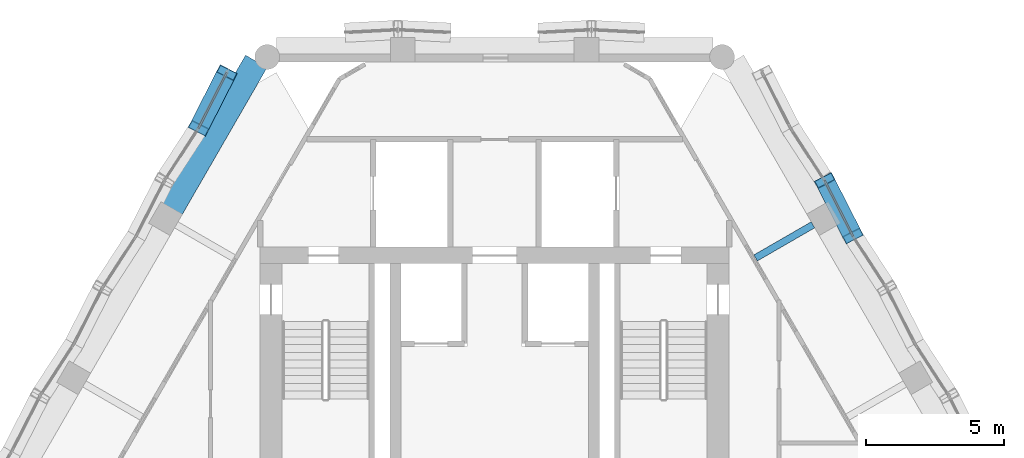
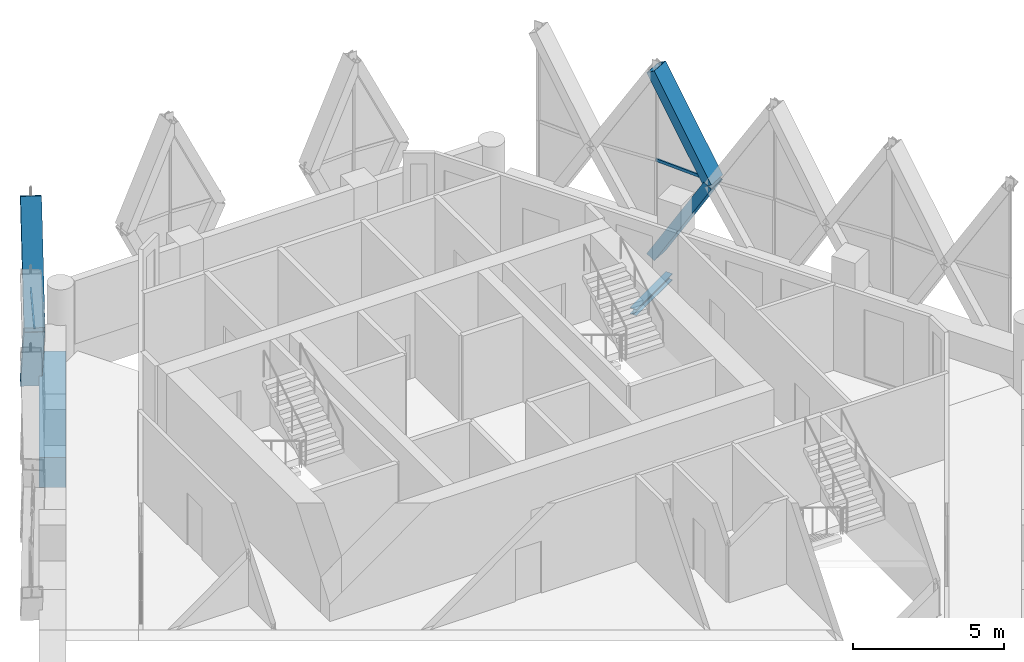
# One storey, part 9 of 27: 6 members, 2 beams, 2 elements without a shape of their own.
"""IFC4 building model written with IfcOpenShell, lengths in metres."""

import ifcopenshell
import ifcopenshell.guid

model = None  # the IFC model being written
_history = None  # IfcOwnerHistory: only IFC2X3 demands one
_inside = {}  # id of a spatial element -> (the spatial element, [elements in it])
_under = {}  # id of a project, library or spatial element -> (it, [spatial elements below it])
_declared = {}  # id of a project -> (the project, [libraries it declares])
_typed = {}  # id of a type object -> (the type object, [elements of that type])
_made_of = {}  # id of a material, layer set ... -> (it, [elements and type objects made of it])


def new_model(schema):
    """Start an empty IFC model of exactly this schema.

    Asked for "IFC4X3", IfcOpenShell would pick the latest addendum, in which some entities
    have other attributes; the version numbers below select the first issue.
    IFC2X3 requires an IfcOwnerHistory on every rooted entity: one is made here for all.
    """
    global model, _history
    if schema == "IFC4X3":
        model = ifcopenshell.file(schema_version=(4, 3, 0, 0))
    else:
        model = ifcopenshell.file(schema=schema)
    _inside.clear()
    _under.clear()
    _declared.clear()
    _typed.clear()
    _made_of.clear()
    _history = None
    if model.schema == "IFC2X3":
        org = make("IfcOrganization", Name="unknown")
        user = make(
            "IfcPersonAndOrganization",
            ThePerson=make("IfcPerson", FamilyName="unknown"),
            TheOrganization=org,
        )
        app = make(
            "IfcApplication",
            ApplicationDeveloper=org,
            Version="unknown",
            ApplicationFullName="unknown",
            ApplicationIdentifier="unknown",
        )
        _history = make(
            "IfcOwnerHistory",
            OwningUser=user,
            OwningApplication=app,
            ChangeAction="ADDED",
            CreationDate=0,
        )
    return model


def make(cls, **values):
    """One entity of the class cls with the attributes given. An attribute that is None is left unset."""
    return model.create_entity(
        cls, **{name: value for name, value in values.items() if value is not None}
    )


def rooted(cls, **values):
    """An entity with a GlobalId (a new one), such as an element, a storey or a relation."""
    return make(cls, GlobalId=ifcopenshell.guid.new(), OwnerHistory=_history, **values)


def si_unit(unit_type, name, prefix=None):
    """IfcSIUnit, for example si_unit("LENGTHUNIT", "METRE", prefix="MILLI")."""
    return make("IfcSIUnit", UnitType=unit_type, Prefix=prefix, Name=name)


def assignment(units):
    """IfcUnitAssignment: the units of a project."""
    return None if units is None else make("IfcUnitAssignment", Units=units)


def point(xyz):
    """IfcCartesianPoint."""
    return None if xyz is None else make("IfcCartesianPoint", Coordinates=xyz)


def direction(xyz):
    """IfcDirection."""
    return None if xyz is None else make("IfcDirection", DirectionRatios=xyz)


def frame(location, z_axis=None, x_axis=None):
    """IfcAxis2Placement3D, a coordinate frame: its origin and axes. An axis left out is left unset."""
    return make(
        "IfcAxis2Placement3D",
        Location=point(location),
        Axis=direction(z_axis),
        RefDirection=direction(x_axis),
    )


def frame_2d(location, x_axis=None):
    """IfcAxis2Placement2D, a coordinate frame in the plane: its origin and x axis."""
    return make(
        "IfcAxis2Placement2D", Location=point(location), RefDirection=direction(x_axis)
    )


def origin():
    """The frame at (0, 0, 0) with its axes left unset."""
    return frame((0.0, 0.0, 0.0))


def origin_2d():
    """The frame at (0, 0) in the plane with its x axis left unset."""
    return frame_2d((0.0, 0.0))


def place(relative_to, where):
    """IfcLocalPlacement: puts the frame where relative to a parent placement (None: the world)."""
    return make(
        "IfcLocalPlacement", PlacementRelTo=relative_to, RelativePlacement=where
    )


def context(
    kind, dimensions, precision=None, world=None, true_north=None, identifier=None
):
    """IfcGeometricRepresentationContext, for example the 3D "Model" context."""
    return make(
        "IfcGeometricRepresentationContext",
        ContextIdentifier=identifier,
        ContextType=kind,
        CoordinateSpaceDimension=dimensions,
        Precision=precision,
        WorldCoordinateSystem=world,
        TrueNorth=true_north,
    )


def subcontext(parent, identifier, kind, view, scale=None):
    """IfcGeometricRepresentationSubContext, for example "Body" below "Model"."""
    return make(
        "IfcGeometricRepresentationSubContext",
        ContextIdentifier=identifier,
        ContextType=kind,
        ParentContext=parent,
        TargetScale=scale,
        TargetView=view,
    )


def project(units=None, contexts=None):
    """IfcProject with its units and contexts."""
    return rooted(
        "IfcProject",
        Name="project",
        RepresentationContexts=contexts,
        UnitsInContext=assignment(units),
    )


def spatial(cls, under=None, at=None, **own):
    """A site, building, storey or space (cls), placed at a placement, below another one or the project."""
    s = rooted(cls, ObjectPlacement=at, **own)
    if under is not None:
        _under.setdefault(under.id(), (under, []))[1].append(s)
    return s


def profile(cls, at=None, kind="AREA", **sizes):
    """A parametric profile (cls). Its sizes go by their IFC names, for example OverallWidth=200.0."""
    return make(cls, ProfileType=kind, Position=at, **sizes)


def rectangle(**sizes):
    """IfcRectangleProfileDef."""
    return profile("IfcRectangleProfileDef", **sizes)


def hollow_rectangle(**sizes):
    """IfcRectangleHollowProfileDef."""
    return profile("IfcRectangleHollowProfileDef", **sizes)


def i_section(**sizes):
    """IfcIShapeProfileDef."""
    return profile("IfcIShapeProfileDef", **sizes)


def extrude(swept, where, along, depth):
    """IfcExtrudedAreaSolid: the profile swept, set in the frame where, extruded along a direction by depth."""
    return make(
        "IfcExtrudedAreaSolid",
        SweptArea=swept,
        Position=where,
        ExtrudedDirection=direction(along),
        Depth=depth,
    )


def shape(context_of_items, identifier, shape_type, items):
    """IfcShapeRepresentation: the items that make up one representation, for example the "Body"."""
    return make(
        "IfcShapeRepresentation",
        ContextOfItems=context_of_items,
        RepresentationIdentifier=identifier,
        RepresentationType=shape_type,
        Items=items,
    )


def material(Name=None, Category=None):
    """IfcMaterial."""
    return make("IfcMaterial", Name=Name, Category=Category)


def material_profile(
    of_material, cross_section, Name=None, Category=None, Priority=None
):
    """IfcMaterialProfile: a cross section and its material."""
    return make(
        "IfcMaterialProfile",
        Name=Name,
        Material=of_material,
        Profile=cross_section,
        Priority=Priority,
        Category=Category,
    )


def profile_set(profiles, Name=None, composite=None):
    """IfcMaterialProfileSet."""
    return make(
        "IfcMaterialProfileSet",
        Name=Name,
        MaterialProfiles=profiles,
        CompositeProfile=composite,
    )


def made_of(thing, what):
    """Note that an element or type object is made of a material, layer set ...; save() writes the relation."""
    if what is not None:
        _made_of.setdefault(what.id(), (what, []))[1].append(thing)
    return thing


def type_object(cls, material=None, **own):
    """A type object (cls), such as IfcWallType, which elements share."""
    return made_of(rooted(cls, **own), material)


def element(
    cls,
    number,
    at=None,
    inside=None,
    cuts=None,
    type_object=None,
    material=None,
    context=None,
    identifier="Body",
    shape_type=None,
    held_by="IfcProductDefinitionShape",
    body=None,
    shapes=None,
    **own,
):
    """One element of the class cls, such as IfcWall. Its Tag is "e" and its number.

    at: its placement. inside: the storey or other place that contains it. cuts: it is an
    opening in that element (IfcRelVoidsElement). A single representation is given by context,
    identifier, shape_type and body (its items); several are given by shapes. held_by: the class
    of the entity that holds the representations. save() writes the other relations.
    """
    e = rooted(cls, Tag="e%d" % number, ObjectPlacement=at, **own)
    if body is not None:
        shapes = [shape(context, identifier, shape_type, body)]
    if shapes is not None:
        e.Representation = make(held_by, Representations=shapes)
    if inside is not None:
        _inside.setdefault(inside.id(), (inside, []))[1].append(e)
    if cuts is not None:
        rooted(
            "IfcRelVoidsElement", RelatingBuildingElement=cuts, RelatedOpeningElement=e
        )
    if type_object is not None:
        _typed.setdefault(type_object.id(), (type_object, []))[1].append(e)
    return made_of(e, material)


def aggregate(whole, parts):
    """IfcRelAggregates: a whole, such as a stair, and the parts it consists of."""
    return rooted("IfcRelAggregates", RelatingObject=whole, RelatedObjects=parts)


def save(model, path):
    """Write the relations noted so far, then the file.

    IfcRelAggregates (storeys below a building ...), IfcRelContainedInSpatialStructure (elements
    in a storey), IfcRelDefinesByType, IfcRelAssociatesMaterial and IfcRelDeclares: one each for
    every whole, place, type object, material and project.
    """
    for whole, parts in _under.values():
        aggregate(whole, parts)
    for where, things in _inside.values():
        rooted(
            "IfcRelContainedInSpatialStructure",
            RelatedElements=things,
            RelatingStructure=where,
        )
    for kind, things in _typed.values():
        rooted("IfcRelDefinesByType", RelatedObjects=things, RelatingType=kind)
    for what, things in _made_of.values():
        rooted("IfcRelAssociatesMaterial", RelatedObjects=things, RelatingMaterial=what)
    for by, libraries in _declared.values():
        rooted("IfcRelDeclares", RelatingContext=by, RelatedDefinitions=libraries)
    model.write(path)


model = new_model("IFC4")

# Units and contexts
model_context = context("Model", 3, precision=1e-05, world=origin(), true_north=direction((0.0, 1.0)))
body_context = subcontext(model_context, "Body", "Model", "MODEL_VIEW")
ifc_project = project(units=[si_unit("LENGTHUNIT", "METRE"), si_unit("AREAUNIT", "SQUARE_METRE"), si_unit("VOLUMEUNIT", "CUBIC_METRE"), si_unit("PLANEANGLEUNIT", "RADIAN"), si_unit("MASSUNIT", "GRAM", prefix="KILO")], contexts=[model_context])

# Site, building, storey
site_placement = place(None, origin())
site = spatial("IfcSite", under=ifc_project, at=site_placement, CompositionType="ELEMENT")
building_placement = place(site_placement, origin())
building = spatial("IfcBuilding", under=site, at=building_placement, Name="Ostrander Bayou Hotel Tower", CompositionType="ELEMENT")
storey_placement = place(building_placement, frame((0.0, 0.0, 267.5)))
storey = spatial("IfcBuildingStorey", under=building, at=storey_placement, Name="L66", CompositionType="ELEMENT", Elevation=267.5)

# Curtain wall, member
ifc_material_1 = material(Name="Aluminium and clear glass", Category="aluminium")
curtain_wall_type = type_object("IfcCurtainWallType", Name="CW-LAT lattice glazing", PredefinedType="NOTDEFINED", material=ifc_material_1)
curtain_wall_1_placement = place(storey_placement, origin())
curtain_wall_1 = element("IfcCurtainWall", 1, at=curtain_wall_1_placement, inside=storey, type_object=curtain_wall_type, Name="CW-LAT L66 NW 2", PredefinedType="NOTDEFINED")
ifc_material_2 = material(Name="Aluminium", Category="aluminium")
ifc_material_profile_1 = material_profile(ifc_material_2, hollow_rectangle(XDim=0.06005859375, YDim=0.1201171875, WallThickness=0.00390625, at=origin_2d()))
ifc_profile_set_1 = profile_set([ifc_material_profile_1], Name="Aluminium")
member_type_1 = type_object("IfcMemberType", Name="CW-LA transom 60 x 120 mm", PredefinedType="USERDEFINED", material=ifc_profile_set_1)
member_1_placement = place(storey_placement, frame((-9.704345703125, 16.0185546875, 3.14990234375), z_axis=(-0.453990565894, -0.891006490481, 0.0), x_axis=(0.891006490481, -0.453990565894, 0.0)))
member_1 = element("IfcMember", 2, at=member_1_placement, type_object=member_type_1, Name="CW-LAT transom 3", ObjectType="TRANSOM", PredefinedType="USERDEFINED", context=body_context, shape_type="SweptSolid", body=[
    extrude(hollow_rectangle(XDim=0.06005859375, YDim=0.1201171875, WallThickness=0.00390625, at=origin_2d()), origin(), (0.0, 0.0, 1.0), 2.258056640625),
])
aggregate(curtain_wall_1, [member_1])

curtain_wall_2_placement = place(storey_placement, origin())
curtain_wall_2 = element("IfcCurtainWall", 3, at=curtain_wall_2_placement, inside=storey, type_object=curtain_wall_type, Name="CW-LAT L66 NE 2", PredefinedType="NOTDEFINED")
member_2_placement = place(storey_placement, frame((11.95947265625, 12.112548828125, 3.14990234375), z_axis=(0.453990565894, -0.891006490481, 0.0), x_axis=(0.891006490481, 0.453990565894, 0.0)))
member_2 = element("IfcMember", 4, at=member_2_placement, type_object=member_type_1, Name="CW-LAT transom 14", ObjectType="TRANSOM", PredefinedType="USERDEFINED", context=body_context, shape_type="SweptSolid", body=[
    extrude(hollow_rectangle(XDim=0.06005859375, YDim=0.1201171875, WallThickness=0.00390625, at=origin_2d()), origin(), (0.0, 0.0, 1.0), 2.258056640625),
])
aggregate(curtain_wall_2, [member_2])

# Beam
ifc_material_3 = material(Name="Steel ASTM A992", Category="steel")
ifc_material_profile_2 = material_profile(ifc_material_3, i_section(OverallWidth=0.25390625, OverallDepth=0.25341796875, WebThickness=0.008544921875, FlangeThickness=0.01416015625, at=origin_2d()))
ifc_profile_set_2 = profile_set([ifc_material_profile_2], Name="Steel ASTM A992")
beam_type_1 = type_object("IfcBeamType", Name="LB2 loggia bracket W10x49", PredefinedType="BEAM", material=ifc_profile_set_2)
beam_1_placement = place(storey_placement, frame((11.53662109375, 10.505126953125, -0.4267578125), z_axis=(-0.866050077142, -0.499957262057, 0.0), x_axis=(0.499957262057, -0.866050077142, 0.0)))
element("IfcBeam", 5, at=beam_1_placement, inside=storey, type_object=beam_type_1, Name="LB2 L66 NE2", PredefinedType="BEAM", context=body_context, shape_type="SweptSolid", body=[
    extrude(i_section(OverallWidth=0.25390625, OverallDepth=0.25341796875, WebThickness=0.008544921875, FlangeThickness=0.01416015625, at=origin_2d()), origin(), (0.0, 0.0, 1.0), 2.400146484375),
])

# Members
ifc_material_4 = material(Name="Steel ASTM A572 Gr 50", Category="steel")
ifc_material_profile_3 = material_profile(ifc_material_4, hollow_rectangle(XDim=0.699951171875, YDim=0.35009765625, WallThickness=0.02490234375, at=origin_2d()))
ifc_profile_set_3 = profile_set([ifc_material_profile_3], Name="Steel ASTM A572 Gr 50")
member_type_2 = type_object("IfcMemberType", Name="LT1 lattice member box 700 x 350 x 25 mm", PredefinedType="BRACE", material=ifc_profile_set_3)
for number, where, z_axis, x_axis, name in (
    (6, (-10.7294921875, 14.006591796875, 3.14990234375), (0.234192014113, 0.459627622839, -0.856677622475), (-0.891006490481, 0.453990565894, 0.0), "LT1 L66 NW 1"),
    (7, (-10.7294921875, 14.006591796875, 3.14990234375), (0.234192014113, 0.459627622839, 0.856677622475), (-0.891006490481, 0.453990565894, 0.0), "LT1 L66 NW 2"),
    (8, (12.984619140625, 10.1005859375, 3.14990234375), (-0.234192014113, 0.459627622839, -0.856677622475), (-0.891006490481, -0.453990565894, 0.0), "LT1 L66 NE 11"),
    (9, (12.984619140625, 10.1005859375, 3.14990234375), (-0.234192014113, 0.459627622839, 0.856677622475), (-0.891006490481, -0.453990565894, 0.0), "LT1 L66 NE 12"),
):
    element("IfcMember", number, at=place(storey_placement, frame(where, z_axis=z_axis, x_axis=x_axis)), inside=storey, type_object=member_type_2, Name=name, PredefinedType="BRACE", context=body_context, shape_type="SweptSolid", body=[
        extrude(hollow_rectangle(XDim=0.699951171875, YDim=0.35009765625, WallThickness=0.02490234375, at=origin_2d()), origin(), (0.0, 0.0, 1.0), 4.37744140625),
    ])

# Beam
ifc_material_5 = material(Name="Concrete f'c 60 MPa", Category="concrete")
ifc_material_profile_4 = material_profile(ifc_material_5, rectangle(XDim=0.89990234375, YDim=1.199951171875, at=origin_2d()))
ifc_profile_set_4 = profile_set([ifc_material_profile_4], Name="Concrete f'c 60 MPa")
beam_type_2 = type_object("IfcBeamType", Name="SP4 spandrel beam 900 x 1200 mm f'c 60 MPa", PredefinedType="SPANDREL", material=ifc_profile_set_4)
beam_2_placement = place(storey_placement, frame((-8.63671875, 16.427978515625, -0.60009765625), z_axis=(-0.499984362083, -0.866034432152, 0.0), x_axis=(0.866034432152, -0.499984362083, 0.0)))
element("IfcBeam", 10, at=beam_2_placement, inside=storey, type_object=beam_type_2, Name="SP4 L66 NW-1", PredefinedType="SPANDREL", context=body_context, shape_type="SweptSolid", body=[
    extrude(rectangle(XDim=0.89990234375, YDim=1.199951171875, at=origin_2d()), origin(), (0.0, 0.0, 1.0), 6.159423828125),
])

save(model, "model.ifc")
